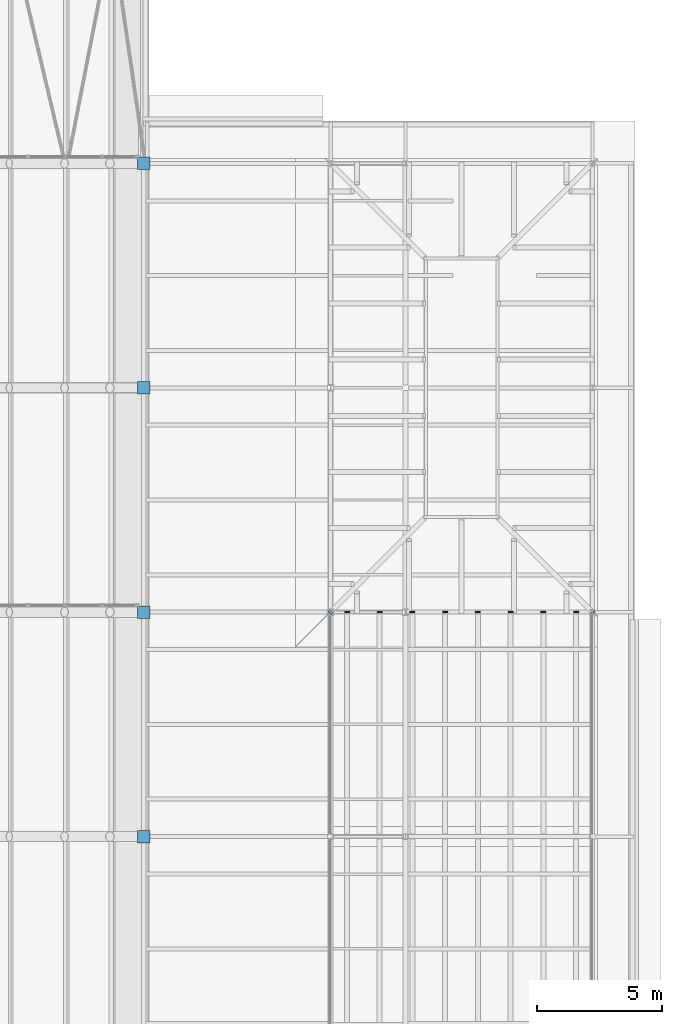
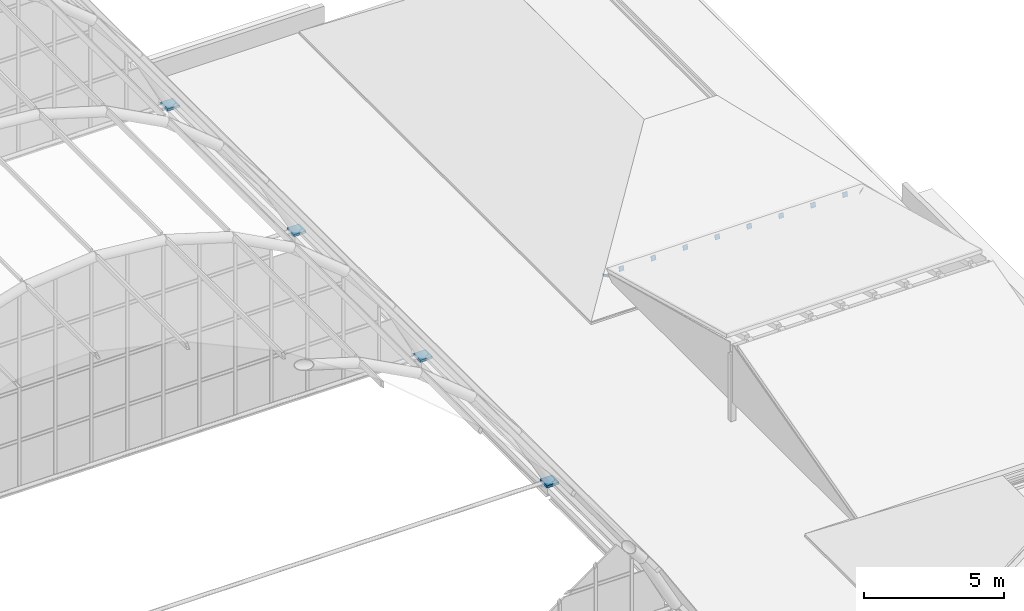
# One storey, part 108 of 121: 14 discrete accessories.
"""IFC4 building model written with IfcOpenShell, lengths in metres."""

from ifc_helpers import new_model, si_unit, direction, frame, origin, origin_2d, place, context, subcontext, project, spatial, rectangle, extrude, material, material_profile, profile_set, type_object, element, save


model = new_model("IFC4")

# Units and contexts
model_context = context("Model", 3, precision=1e-05, world=origin(), true_north=direction((0.0, 1.0)))
body_context = subcontext(model_context, "Body", "Model", "MODEL_VIEW")
ifc_project = project(units=[si_unit("LENGTHUNIT", "METRE"), si_unit("AREAUNIT", "SQUARE_METRE"), si_unit("VOLUMEUNIT", "CUBIC_METRE"), si_unit("PLANEANGLEUNIT", "RADIAN"), si_unit("MASSUNIT", "GRAM", prefix="KILO")], contexts=[model_context])

# Site, building, storey
site_placement = place(None, origin())
site = spatial("IfcSite", under=ifc_project, at=site_placement, CompositionType="ELEMENT")
building_placement = place(site_placement, origin())
building = spatial("IfcBuilding", under=site, at=building_placement, Name="Golden Quay Civic Hall", CompositionType="ELEMENT")
storey_placement = place(building_placement, frame((0.0, 0.0, 18.60009765625)))
storey = spatial("IfcBuildingStorey", under=building, at=storey_placement, Name="L04", CompositionType="ELEMENT", Elevation=18.60009765625)

# Discrete accessories
ifc_material_1 = material(Name="Steel S355", Category="steel")
discrete_accessory_type_1 = type_object("IfcDiscreteAccessoryType", Name="Steel bearing shoe 500x500x100", PredefinedType="BRACKET", material=ifc_material_1)
for number, where, z_axis, x_axis, name in (
    (1, (99.0, 27.0, -0.000244140625), (0.0, 0.0, 1.0), (1.0, 0.0, 0.0), "Bearing shoe 4"),
    (2, (99.0, 36.0, -0.000244140625), (0.0, 0.0, 1.0), (1.0, 0.0, 0.0), "Bearing shoe 5"),
    (3, (99.0, 45.0, -0.000244140625), (0.0, 0.0, 1.0), (1.0, 0.0, 0.0), "Bearing shoe 6"),
    (4, (99.0, 54.0, -0.000244140625), (0.0, 0.0, 1.0), (1.0, 0.0, 0.0), "Bearing shoe 7"),
):
    element("IfcDiscreteAccessory", number, at=place(storey_placement, frame(where, z_axis=z_axis, x_axis=x_axis)), inside=storey, type_object=discrete_accessory_type_1, Name=name, PredefinedType="BRACKET", context=body_context, shape_type="SweptSolid", body=[
        extrude(rectangle(XDim=0.5, YDim=0.5, at=origin_2d()), origin(), (0.0, 0.0, 1.0), 0.10009765625),
    ])
ifc_material_2 = material(Name="Steel S355", Category="steel")
ifc_material_profile = material_profile(ifc_material_2, rectangle(XDim=0.199951171875, YDim=0.199951171875, at=origin_2d()), Name="Steel end cap plate 200x200x16")
ifc_profile_set = profile_set([ifc_material_profile], Name="Steel S355")
discrete_accessory_type_2 = type_object("IfcDiscreteAccessoryType", Name="Steel end cap plate 200x200x16", PredefinedType="BRACKET", material=ifc_profile_set)
for number, where, z_axis, x_axis, name in (
    (5, (106.5, 36.0, 0.92822265625), (-0.628025291884, -0.628025291884, -0.459530701378), (0.707106781187, -0.707106781187, 0.0), "End cap hip rafter EM-N south-west"),
    (6, (117.0, 36.0, 0.92822265625), (0.628025291884, -0.628025291884, -0.459530701378), (0.707106781187, 0.707106781187, 0.0), "End cap hip rafter EM-N south-east"),
    (7, (107.15625, 36.0, 0.988525390625), (0.0, 0.965467637734, -0.260523013357), (-1.0, 0.0, 0.0), "End cap gable rafter north 1"),
    (8, (108.46875, 36.0, 0.988525390625), (0.0, 0.965467637734, -0.260523013357), (-1.0, 0.0, 0.0), "End cap gable rafter north 2"),
    (9, (109.78125, 36.0, 0.988525390625), (0.0, 0.965467637734, -0.260523013357), (-1.0, 0.0, 0.0), "End cap gable rafter north 3"),
    (10, (111.09375, 36.0, 0.988525390625), (0.0, 0.965467637734, -0.260523013357), (-1.0, 0.0, 0.0), "End cap gable rafter north 4"),
    (11, (112.40625, 36.0, 0.988525390625), (0.0, 0.965467637734, -0.260523013357), (-1.0, 0.0, 0.0), "End cap gable rafter north 5"),
    (12, (113.71875, 36.0, 0.988525390625), (0.0, 0.965467637734, -0.260523013357), (-1.0, 0.0, 0.0), "End cap gable rafter north 6"),
    (13, (115.03125, 36.0, 0.988525390625), (0.0, 0.965467637734, -0.260523013357), (-1.0, 0.0, 0.0), "End cap gable rafter north 7"),
    (14, (116.34375, 36.0, 0.988525390625), (0.0, 0.965467637734, -0.260523013357), (-1.0, 0.0, 0.0), "End cap gable rafter north 8"),
):
    element("IfcDiscreteAccessory", number, at=place(storey_placement, frame(where, z_axis=z_axis, x_axis=x_axis)), inside=storey, type_object=discrete_accessory_type_2, Name=name, PredefinedType="BRACKET", context=body_context, shape_type="SweptSolid", body=[
        extrude(rectangle(XDim=0.199951171875, YDim=0.199951171875, at=origin_2d()), origin(), (0.0, 0.0, 1.0), 0.015869140625),
    ])

save(model, "model.ifc")
